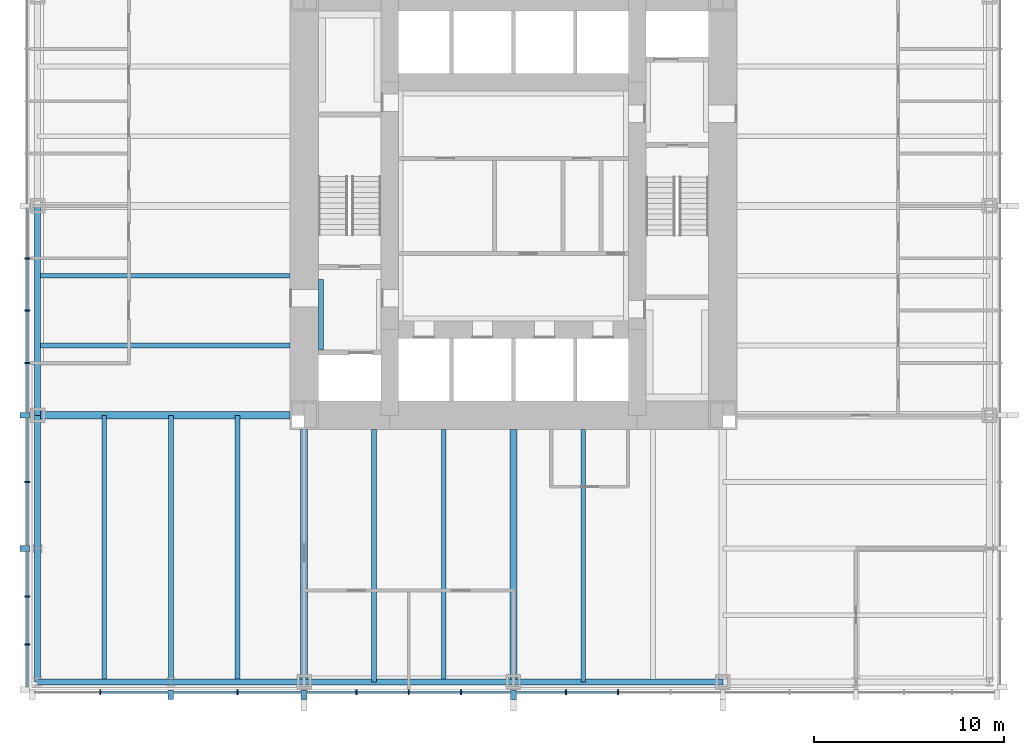
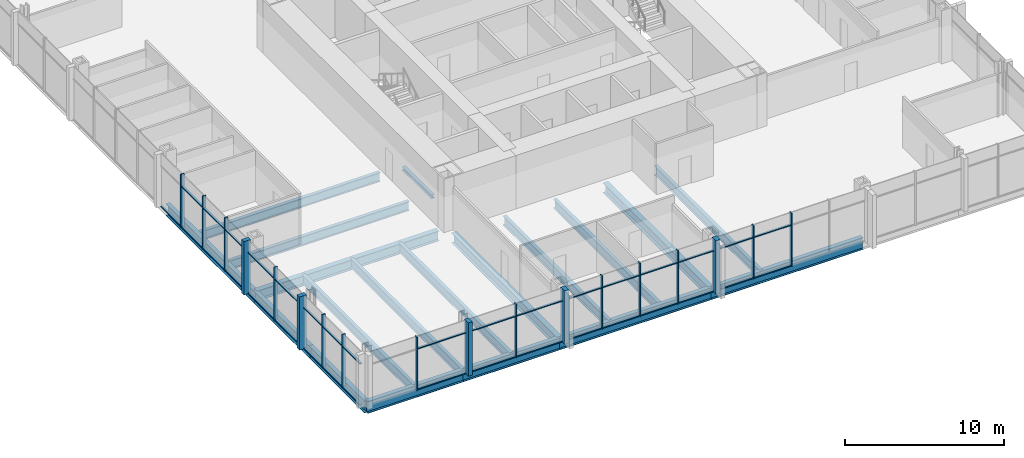
# One storey, part 2 of 13: 53 members, 19 beams, 2 elements without a shape of their own.
"""IFC4 building model written with IfcOpenShell, lengths in metres."""

from ifc_helpers import new_model, si_unit, direction, frame, origin, origin_2d, place, context, subcontext, project, spatial, rectangle, i_section, extrude, material, material_profile, profile_set, type_object, element, aggregate, save


model = new_model("IFC4")

# Units and contexts
model_context = context("Model", 3, precision=1e-05, world=origin(), true_north=direction((0.0, 1.0)))
body_context = subcontext(model_context, "Body", "Model", "MODEL_VIEW")
ifc_project = project(units=[si_unit("LENGTHUNIT", "METRE"), si_unit("AREAUNIT", "SQUARE_METRE"), si_unit("VOLUMEUNIT", "CUBIC_METRE"), si_unit("PLANEANGLEUNIT", "RADIAN"), si_unit("MASSUNIT", "GRAM", prefix="KILO")], contexts=[model_context])

# Site, building, storey
site_placement = place(None, origin())
site = spatial("IfcSite", under=ifc_project, at=site_placement, CompositionType="ELEMENT")
building_placement = place(site_placement, origin())
building = spatial("IfcBuilding", under=site, at=building_placement, Name="Trevanion Tower", CompositionType="ELEMENT")
storey_placement = place(building_placement, frame((0.0, 0.0, 85.699951171875)))
storey = spatial("IfcBuildingStorey", under=building, at=storey_placement, Name="L20", CompositionType="ELEMENT", Elevation=85.699951171875)

# Beams
ifc_material_1 = material(Name="Steel ASTM A992 Grade 50", Category="steel")
ifc_material_profile_1 = material_profile(ifc_material_1, i_section(OverallWidth=0.25390625, OverallDepth=0.700927734375, WebThickness=0.015380859375, FlangeThickness=0.02783203125, at=origin_2d()), Name="W27X129")
ifc_profile_set_1 = profile_set([ifc_material_profile_1], Name="Steel ASTM A992 Grade 50")
beam_type_1 = type_object("IfcBeamType", Name="B3 W27X129", PredefinedType="BEAM", material=ifc_profile_set_1)
for number, where, z_axis, x_axis, name in (
    (1, (-11.75, -3.666748046875, -0.54052734375), (-1.0, 0.0, 0.0), (0.0, -1.0, 0.0), "B3 L20"),
    (2, (-11.75, -7.333251953125, -0.54052734375), (-1.0, 0.0, 0.0), (0.0, -1.0, 0.0), "B3 L20"),
    (3, (-7.333251953125, -11.75, -0.54052734375), (0.0, -1.0, 0.0), (1.0, 0.0, 0.0), "B3 L20"),
    (4, (-3.666748046875, -11.75, -0.54052734375), (0.0, -1.0, 0.0), (1.0, 0.0, 0.0), "B3 L20"),
    (5, (3.666748046875, -11.75, -0.54052734375), (0.0, -1.0, 0.0), (1.0, 0.0, 0.0), "B3 L20"),
):
    element("IfcBeam", number, at=place(storey_placement, frame(where, z_axis=z_axis, x_axis=x_axis)), inside=storey, type_object=beam_type_1, Name=name, PredefinedType="BEAM", context=body_context, shape_type="SweptSolid", body=[
        extrude(i_section(OverallWidth=0.25390625, OverallDepth=0.700927734375, WebThickness=0.015380859375, FlangeThickness=0.02783203125, at=origin_2d()), origin(), (0.0, 0.0, 1.0), 13.25),
    ])
ifc_material_2 = material(Name="Steel ASTM A992 Grade 50", Category="steel")
ifc_material_profile_2 = material_profile(ifc_material_2, i_section(OverallWidth=0.256591796875, OverallDepth=0.693359375, WebThickness=0.014404296875, FlangeThickness=0.023681640625, at=origin_2d()), Name="W27X114")
ifc_profile_set_2 = profile_set([ifc_material_profile_2], Name="Steel ASTM A992 Grade 50")
beam_type_2 = type_object("IfcBeamType", Name="B4 W27X114", PredefinedType="BEAM", material=ifc_profile_set_2)
for number, where, z_axis, x_axis, name in (
    (6, (-14.5, -11.0, -0.53662109375), (0.0, -1.0, 0.0), (1.0, 0.0, 0.0), "B4 L20"),
    (7, (-18.0, -11.0, -0.53662109375), (0.0, -1.0, 0.0), (1.0, 0.0, 0.0), "B4 L20"),
    (8, (-21.5, -11.0, -0.53662109375), (0.0, -1.0, 0.0), (1.0, 0.0, 0.0), "B4 L20"),
):
    element("IfcBeam", number, at=place(storey_placement, frame(where, z_axis=z_axis, x_axis=x_axis)), inside=storey, type_object=beam_type_2, Name=name, PredefinedType="BEAM", context=body_context, shape_type="SweptSolid", body=[
        extrude(i_section(OverallWidth=0.256591796875, OverallDepth=0.693359375, WebThickness=0.014404296875, FlangeThickness=0.023681640625, at=origin_2d()), origin(), (0.0, 0.0, 1.0), 14.0),
    ])

# Curtain wall, members
ifc_material_3 = material(Name="Aluminium and glass", Category="aluminium")
curtain_wall_type = type_object("IfcCurtainWallType", Name="CW1 curtain wall", PredefinedType="USERDEFINED", material=ifc_material_3)
curtain_wall_1_placement = place(storey_placement, origin())
curtain_wall_1 = element("IfcCurtainWall", 9, at=curtain_wall_1_placement, inside=storey, type_object=curtain_wall_type, Name="CW1 L20 2", ObjectType="UNITISED CURTAIN WALL", PredefinedType="USERDEFINED")
ifc_material_4 = material(Name="Aluminium extrusion, anodised bronze", Category="aluminium")
ifc_material_profile_3 = material_profile(ifc_material_4, rectangle(XDim=0.074951171875, YDim=0.25, at=origin_2d()), Name="CW1 mullion")
ifc_profile_set_3 = profile_set([ifc_material_profile_3], Name="Aluminium extrusion, anodised bronze")
member_type_1 = type_object("IfcMemberType", Name="CW1 mullion", PredefinedType="MULLION", material=ifc_profile_set_3)
member_1_placement = place(storey_placement, frame((-25.550048828125, -2.75, -0.18994140625), z_axis=(0.0, 0.0, 1.0), x_axis=(0.0, -1.0, 0.0)))
member_1 = element("IfcMember", 10, at=member_1_placement, type_object=member_type_1, Name="CW1 mullion 10", PredefinedType="MULLION", context=body_context, shape_type="SweptSolid", body=[
    extrude(rectangle(XDim=0.074951171875, YDim=0.25, at=origin_2d()), origin(), (0.0, 0.0, 1.0), 4.10009765625),
])
member_2_placement = place(storey_placement, frame((-25.550048828125, -5.5, -0.18994140625), z_axis=(0.0, 0.0, 1.0), x_axis=(0.0, -1.0, 0.0)))
member_2 = element("IfcMember", 11, at=member_2_placement, type_object=member_type_1, Name="CW1 mullion 11", PredefinedType="MULLION", context=body_context, shape_type="SweptSolid", body=[
    extrude(rectangle(XDim=0.074951171875, YDim=0.25, at=origin_2d()), origin(), (0.0, 0.0, 1.0), 4.10009765625),
])
member_3_placement = place(storey_placement, frame((-25.550048828125, -8.25, -0.18994140625), z_axis=(0.0, 0.0, 1.0), x_axis=(0.0, -1.0, 0.0)))
member_3 = element("IfcMember", 12, at=member_3_placement, type_object=member_type_1, Name="CW1 mullion 12", PredefinedType="MULLION", context=body_context, shape_type="SweptSolid", body=[
    extrude(rectangle(XDim=0.074951171875, YDim=0.25, at=origin_2d()), origin(), (0.0, 0.0, 1.0), 4.10009765625),
])
member_4_placement = place(storey_placement, frame((-25.550048828125, -14.5, -0.18994140625), z_axis=(0.0, 0.0, 1.0), x_axis=(0.0, -1.0, 0.0)))
member_4 = element("IfcMember", 13, at=member_4_placement, type_object=member_type_1, Name="CW1 mullion 14", PredefinedType="MULLION", context=body_context, shape_type="SweptSolid", body=[
    extrude(rectangle(XDim=0.074951171875, YDim=0.25, at=origin_2d()), origin(), (0.0, 0.0, 1.0), 4.10009765625),
])
member_5_placement = place(storey_placement, frame((-25.550048828125, -20.5166015625, -0.18994140625), z_axis=(0.0, 0.0, 1.0), x_axis=(0.0, -1.0, 0.0)))
member_5 = element("IfcMember", 14, at=member_5_placement, type_object=member_type_1, Name="CW1 mullion 16", PredefinedType="MULLION", context=body_context, shape_type="SweptSolid", body=[
    extrude(rectangle(XDim=0.074951171875, YDim=0.25, at=origin_2d()), origin(), (0.0, 0.0, 1.0), 4.10009765625),
])
member_6_placement = place(storey_placement, frame((-25.550048828125, -23.033203125, -0.18994140625), z_axis=(0.0, 0.0, 1.0), x_axis=(0.0, -1.0, 0.0)))
member_6 = element("IfcMember", 15, at=member_6_placement, type_object=member_type_1, Name="CW1 mullion 17", PredefinedType="MULLION", context=body_context, shape_type="SweptSolid", body=[
    extrude(rectangle(XDim=0.074951171875, YDim=0.25, at=origin_2d()), origin(), (0.0, 0.0, 1.0), 4.10009765625),
])

curtain_wall_2_placement = place(storey_placement, origin())
curtain_wall_2 = element("IfcCurtainWall", 16, at=curtain_wall_2_placement, inside=storey, type_object=curtain_wall_type, Name="CW1 L20 3", ObjectType="UNITISED CURTAIN WALL", PredefinedType="USERDEFINED")
member_7_placement = place(storey_placement, frame((-21.7099609375, -25.550048828125, -0.18994140625), z_axis=(0.0, 0.0, 1.0), x_axis=(1.0, 0.0, 0.0)))
member_7 = element("IfcMember", 17, at=member_7_placement, type_object=member_type_1, Name="CW1 mullion 2", PredefinedType="MULLION", context=body_context, shape_type="SweptSolid", body=[
    extrude(rectangle(XDim=0.074951171875, YDim=0.25, at=origin_2d()), origin(), (0.0, 0.0, 1.0), 4.10009765625),
])
member_8_placement = place(storey_placement, frame((-14.5, -25.550048828125, -0.18994140625), z_axis=(0.0, 0.0, 1.0), x_axis=(1.0, 0.0, 0.0)))
member_8 = element("IfcMember", 18, at=member_8_placement, type_object=member_type_1, Name="CW1 mullion 4", PredefinedType="MULLION", context=body_context, shape_type="SweptSolid", body=[
    extrude(rectangle(XDim=0.074951171875, YDim=0.25, at=origin_2d()), origin(), (0.0, 0.0, 1.0), 4.10009765625),
])
member_9_placement = place(storey_placement, frame((-8.25, -25.550048828125, -0.18994140625), z_axis=(0.0, 0.0, 1.0), x_axis=(1.0, 0.0, 0.0)))
member_9 = element("IfcMember", 19, at=member_9_placement, type_object=member_type_1, Name="CW1 mullion 6", PredefinedType="MULLION", context=body_context, shape_type="SweptSolid", body=[
    extrude(rectangle(XDim=0.074951171875, YDim=0.25, at=origin_2d()), origin(), (0.0, 0.0, 1.0), 4.10009765625),
])
member_10_placement = place(storey_placement, frame((-5.5, -25.550048828125, -0.18994140625), z_axis=(0.0, 0.0, 1.0), x_axis=(1.0, 0.0, 0.0)))
member_10 = element("IfcMember", 20, at=member_10_placement, type_object=member_type_1, Name="CW1 mullion 7", PredefinedType="MULLION", context=body_context, shape_type="SweptSolid", body=[
    extrude(rectangle(XDim=0.074951171875, YDim=0.25, at=origin_2d()), origin(), (0.0, 0.0, 1.0), 4.10009765625),
])
member_11_placement = place(storey_placement, frame((-2.75, -25.550048828125, -0.18994140625), z_axis=(0.0, 0.0, 1.0), x_axis=(1.0, 0.0, 0.0)))
member_11 = element("IfcMember", 21, at=member_11_placement, type_object=member_type_1, Name="CW1 mullion 8", PredefinedType="MULLION", context=body_context, shape_type="SweptSolid", body=[
    extrude(rectangle(XDim=0.074951171875, YDim=0.25, at=origin_2d()), origin(), (0.0, 0.0, 1.0), 4.10009765625),
])
member_12_placement = place(storey_placement, frame((2.75, -25.550048828125, -0.18994140625), z_axis=(0.0, 0.0, 1.0), x_axis=(1.0, 0.0, 0.0)))
member_12 = element("IfcMember", 22, at=member_12_placement, type_object=member_type_1, Name="CW1 mullion 10", PredefinedType="MULLION", context=body_context, shape_type="SweptSolid", body=[
    extrude(rectangle(XDim=0.074951171875, YDim=0.25, at=origin_2d()), origin(), (0.0, 0.0, 1.0), 4.10009765625),
])
member_13_placement = place(storey_placement, frame((5.5, -25.550048828125, -0.18994140625), z_axis=(0.0, 0.0, 1.0), x_axis=(1.0, 0.0, 0.0)))
member_13 = element("IfcMember", 23, at=member_13_placement, type_object=member_type_1, Name="CW1 mullion 11", PredefinedType="MULLION", context=body_context, shape_type="SweptSolid", body=[
    extrude(rectangle(XDim=0.074951171875, YDim=0.25, at=origin_2d()), origin(), (0.0, 0.0, 1.0), 4.10009765625),
])

# Member
ifc_material_5 = material(Name="Aluminium extrusion, anodised bronze", Category="aluminium")
ifc_material_profile_4 = material_profile(ifc_material_5, rectangle(XDim=0.300048828125, YDim=0.5, at=origin_2d()), Name="CW1 pier mullion")
ifc_profile_set_4 = profile_set([ifc_material_profile_4], Name="Aluminium extrusion, anodised bronze")
member_type_2 = type_object("IfcMemberType", Name="CW1 pier mullion", PredefinedType="MULLION", material=ifc_profile_set_4)
member_14_placement = place(storey_placement, frame((-25.675048828125, -11.0, -0.18994140625), z_axis=(0.0, 0.0, 1.0), x_axis=(0.0, -1.0, 0.0)))
member_14 = element("IfcMember", 24, at=member_14_placement, type_object=member_type_2, Name="CW1 pier mullion 13", PredefinedType="MULLION", context=body_context, shape_type="SweptSolid", body=[
    extrude(rectangle(XDim=0.300048828125, YDim=0.5, at=origin_2d()), origin(), (0.0, 0.0, 1.0), 4.10009765625),
])

member_15_placement = place(storey_placement, frame((-25.675048828125, -18.0, -0.18994140625), z_axis=(0.0, 0.0, 1.0), x_axis=(0.0, -1.0, 0.0)))
member_15 = element("IfcMember", 25, at=member_15_placement, type_object=member_type_2, Name="CW1 pier mullion 15", PredefinedType="MULLION", context=body_context, shape_type="SweptSolid", body=[
    extrude(rectangle(XDim=0.300048828125, YDim=0.5, at=origin_2d()), origin(), (0.0, 0.0, 1.0), 4.10009765625),
])

member_16_placement = place(storey_placement, frame((-18.0, -25.675048828125, -0.18994140625), z_axis=(0.0, 0.0, 1.0), x_axis=(1.0, 0.0, 0.0)))
member_16 = element("IfcMember", 26, at=member_16_placement, type_object=member_type_2, Name="CW1 pier mullion 3", PredefinedType="MULLION", context=body_context, shape_type="SweptSolid", body=[
    extrude(rectangle(XDim=0.300048828125, YDim=0.5, at=origin_2d()), origin(), (0.0, 0.0, 1.0), 4.10009765625),
])

member_17_placement = place(storey_placement, frame((-11.0, -25.675048828125, -0.18994140625), z_axis=(0.0, 0.0, 1.0), x_axis=(1.0, 0.0, 0.0)))
member_17 = element("IfcMember", 27, at=member_17_placement, type_object=member_type_2, Name="CW1 pier mullion 5", PredefinedType="MULLION", context=body_context, shape_type="SweptSolid", body=[
    extrude(rectangle(XDim=0.300048828125, YDim=0.5, at=origin_2d()), origin(), (0.0, 0.0, 1.0), 4.10009765625),
])

member_18_placement = place(storey_placement, frame((0.0, -25.675048828125, -0.18994140625), z_axis=(0.0, 0.0, 1.0), x_axis=(1.0, 0.0, 0.0)))
member_18 = element("IfcMember", 28, at=member_18_placement, type_object=member_type_2, Name="CW1 pier mullion 9", PredefinedType="MULLION", context=body_context, shape_type="SweptSolid", body=[
    extrude(rectangle(XDim=0.300048828125, YDim=0.5, at=origin_2d()), origin(), (0.0, 0.0, 1.0), 4.10009765625),
])

ifc_material_6 = material(Name="Aluminium extrusion, anodised bronze", Category="aluminium")
ifc_material_profile_5 = material_profile(ifc_material_6, rectangle(XDim=0.14990234375, YDim=0.074951171875, at=origin_2d()), Name="CW1 transom")
ifc_profile_set_5 = profile_set([ifc_material_profile_5], Name="Aluminium extrusion, anodised bronze")
member_type_3 = type_object("IfcMemberType", Name="CW1 transom", PredefinedType="USERDEFINED", material=ifc_profile_set_5)
member_19_placement = place(storey_placement, frame((-25.550048828125, -0.14990234375, -0.15234375), z_axis=(0.0, -1.0, 0.0), x_axis=(1.0, 0.0, 0.0)))
member_19 = element("IfcMember", 29, at=member_19_placement, type_object=member_type_3, Name="CW1 transom 9.1", ObjectType="TRANSOM", PredefinedType="USERDEFINED", context=body_context, shape_type="SweptSolid", body=[
    extrude(rectangle(XDim=0.14990234375, YDim=0.074951171875, at=origin_2d()), origin(), (0.0, 0.0, 1.0), 2.5625),
])

member_20_placement = place(storey_placement, frame((-25.550048828125, -2.78759765625, -0.15234375), z_axis=(0.0, -1.0, 0.0), x_axis=(1.0, 0.0, 0.0)))
member_20 = element("IfcMember", 30, at=member_20_placement, type_object=member_type_3, Name="CW1 transom 10.1", ObjectType="TRANSOM", PredefinedType="USERDEFINED", context=body_context, shape_type="SweptSolid", body=[
    extrude(rectangle(XDim=0.14990234375, YDim=0.074951171875, at=origin_2d()), origin(), (0.0, 0.0, 1.0), 2.6748046875),
])

member_21_placement = place(storey_placement, frame((-25.550048828125, -2.78759765625, 2.9599609375), z_axis=(0.0, -1.0, 0.0), x_axis=(1.0, 0.0, 0.0)))
member_21 = element("IfcMember", 31, at=member_21_placement, type_object=member_type_3, Name="CW1 transom 10.2", ObjectType="TRANSOM", PredefinedType="USERDEFINED", context=body_context, shape_type="SweptSolid", body=[
    extrude(rectangle(XDim=0.14990234375, YDim=0.074951171875, at=origin_2d()), origin(), (0.0, 0.0, 1.0), 2.6748046875),
])

member_22_placement = place(storey_placement, frame((-25.550048828125, -5.53759765625, -0.15234375), z_axis=(0.0, -1.0, 0.0), x_axis=(1.0, 0.0, 0.0)))
member_22 = element("IfcMember", 32, at=member_22_placement, type_object=member_type_3, Name="CW1 transom 11.1", ObjectType="TRANSOM", PredefinedType="USERDEFINED", context=body_context, shape_type="SweptSolid", body=[
    extrude(rectangle(XDim=0.14990234375, YDim=0.074951171875, at=origin_2d()), origin(), (0.0, 0.0, 1.0), 2.6748046875),
])

member_23_placement = place(storey_placement, frame((-25.550048828125, -5.53759765625, 2.9599609375), z_axis=(0.0, -1.0, 0.0), x_axis=(1.0, 0.0, 0.0)))
member_23 = element("IfcMember", 33, at=member_23_placement, type_object=member_type_3, Name="CW1 transom 11.2", ObjectType="TRANSOM", PredefinedType="USERDEFINED", context=body_context, shape_type="SweptSolid", body=[
    extrude(rectangle(XDim=0.14990234375, YDim=0.074951171875, at=origin_2d()), origin(), (0.0, 0.0, 1.0), 2.6748046875),
])

member_24_placement = place(storey_placement, frame((-25.550048828125, -8.28759765625, -0.15234375), z_axis=(0.0, -1.0, 0.0), x_axis=(1.0, 0.0, 0.0)))
member_24 = element("IfcMember", 34, at=member_24_placement, type_object=member_type_3, Name="CW1 transom 12.1", ObjectType="TRANSOM", PredefinedType="USERDEFINED", context=body_context, shape_type="SweptSolid", body=[
    extrude(rectangle(XDim=0.14990234375, YDim=0.074951171875, at=origin_2d()), origin(), (0.0, 0.0, 1.0), 2.5625),
])

member_25_placement = place(storey_placement, frame((-25.550048828125, -8.28759765625, 2.9599609375), z_axis=(0.0, -1.0, 0.0), x_axis=(1.0, 0.0, 0.0)))
member_25 = element("IfcMember", 35, at=member_25_placement, type_object=member_type_3, Name="CW1 transom 12.2", ObjectType="TRANSOM", PredefinedType="USERDEFINED", context=body_context, shape_type="SweptSolid", body=[
    extrude(rectangle(XDim=0.14990234375, YDim=0.074951171875, at=origin_2d()), origin(), (0.0, 0.0, 1.0), 2.5625),
])

member_26_placement = place(storey_placement, frame((-25.550048828125, -11.14990234375, -0.15234375), z_axis=(0.0, -1.0, 0.0), x_axis=(1.0, 0.0, 0.0)))
member_26 = element("IfcMember", 36, at=member_26_placement, type_object=member_type_3, Name="CW1 transom 13.1", ObjectType="TRANSOM", PredefinedType="USERDEFINED", context=body_context, shape_type="SweptSolid", body=[
    extrude(rectangle(XDim=0.14990234375, YDim=0.074951171875, at=origin_2d()), origin(), (0.0, 0.0, 1.0), 3.3125),
])

member_27_placement = place(storey_placement, frame((-25.550048828125, -11.14990234375, 2.9599609375), z_axis=(0.0, -1.0, 0.0), x_axis=(1.0, 0.0, 0.0)))
member_27 = element("IfcMember", 37, at=member_27_placement, type_object=member_type_3, Name="CW1 transom 13.2", ObjectType="TRANSOM", PredefinedType="USERDEFINED", context=body_context, shape_type="SweptSolid", body=[
    extrude(rectangle(XDim=0.14990234375, YDim=0.074951171875, at=origin_2d()), origin(), (0.0, 0.0, 1.0), 3.3125),
])

member_28_placement = place(storey_placement, frame((-25.550048828125, -14.53759765625, -0.15234375), z_axis=(0.0, -1.0, 0.0), x_axis=(1.0, 0.0, 0.0)))
member_28 = element("IfcMember", 38, at=member_28_placement, type_object=member_type_3, Name="CW1 transom 14.1", ObjectType="TRANSOM", PredefinedType="USERDEFINED", context=body_context, shape_type="SweptSolid", body=[
    extrude(rectangle(XDim=0.14990234375, YDim=0.074951171875, at=origin_2d()), origin(), (0.0, 0.0, 1.0), 3.3125),
])

member_29_placement = place(storey_placement, frame((-25.550048828125, -14.53759765625, 2.9599609375), z_axis=(0.0, -1.0, 0.0), x_axis=(1.0, 0.0, 0.0)))
member_29 = element("IfcMember", 39, at=member_29_placement, type_object=member_type_3, Name="CW1 transom 14.2", ObjectType="TRANSOM", PredefinedType="USERDEFINED", context=body_context, shape_type="SweptSolid", body=[
    extrude(rectangle(XDim=0.14990234375, YDim=0.074951171875, at=origin_2d()), origin(), (0.0, 0.0, 1.0), 3.3125),
])

member_30_placement = place(storey_placement, frame((-25.550048828125, -18.14990234375, -0.15234375), z_axis=(0.0, -1.0, 0.0), x_axis=(1.0, 0.0, 0.0)))
member_30 = element("IfcMember", 40, at=member_30_placement, type_object=member_type_3, Name="CW1 transom 15.1", ObjectType="TRANSOM", PredefinedType="USERDEFINED", context=body_context, shape_type="SweptSolid", body=[
    extrude(rectangle(XDim=0.14990234375, YDim=0.074951171875, at=origin_2d()), origin(), (0.0, 0.0, 1.0), 2.329345703125),
])

member_31_placement = place(storey_placement, frame((-25.550048828125, -18.14990234375, 2.9599609375), z_axis=(0.0, -1.0, 0.0), x_axis=(1.0, 0.0, 0.0)))
member_31 = element("IfcMember", 41, at=member_31_placement, type_object=member_type_3, Name="CW1 transom 15.2", ObjectType="TRANSOM", PredefinedType="USERDEFINED", context=body_context, shape_type="SweptSolid", body=[
    extrude(rectangle(XDim=0.14990234375, YDim=0.074951171875, at=origin_2d()), origin(), (0.0, 0.0, 1.0), 2.329345703125),
])

member_32_placement = place(storey_placement, frame((-25.550048828125, -20.55419921875, -0.15234375), z_axis=(0.0, -1.0, 0.0), x_axis=(1.0, 0.0, 0.0)))
member_32 = element("IfcMember", 42, at=member_32_placement, type_object=member_type_3, Name="CW1 transom 16.1", ObjectType="TRANSOM", PredefinedType="USERDEFINED", context=body_context, shape_type="SweptSolid", body=[
    extrude(rectangle(XDim=0.14990234375, YDim=0.074951171875, at=origin_2d()), origin(), (0.0, 0.0, 1.0), 2.441650390625),
])

member_33_placement = place(storey_placement, frame((-25.550048828125, -20.55419921875, 2.9599609375), z_axis=(0.0, -1.0, 0.0), x_axis=(1.0, 0.0, 0.0)))
member_33 = element("IfcMember", 43, at=member_33_placement, type_object=member_type_3, Name="CW1 transom 16.2", ObjectType="TRANSOM", PredefinedType="USERDEFINED", context=body_context, shape_type="SweptSolid", body=[
    extrude(rectangle(XDim=0.14990234375, YDim=0.074951171875, at=origin_2d()), origin(), (0.0, 0.0, 1.0), 2.441650390625),
])

member_34_placement = place(storey_placement, frame((-25.550048828125, -23.07080078125, -0.15234375), z_axis=(0.0, -1.0, 0.0), x_axis=(1.0, 0.0, 0.0)))
member_34 = element("IfcMember", 44, at=member_34_placement, type_object=member_type_3, Name="CW1 transom 17.1", ObjectType="TRANSOM", PredefinedType="USERDEFINED", context=body_context, shape_type="SweptSolid", body=[
    extrude(rectangle(XDim=0.14990234375, YDim=0.074951171875, at=origin_2d()), origin(), (0.0, 0.0, 1.0), 2.17919921875),
])

member_35_placement = place(storey_placement, frame((-25.550048828125, -23.07080078125, 2.9599609375), z_axis=(0.0, -1.0, 0.0), x_axis=(1.0, 0.0, 0.0)))
member_35 = element("IfcMember", 45, at=member_35_placement, type_object=member_type_3, Name="CW1 transom 17.2", ObjectType="TRANSOM", PredefinedType="USERDEFINED", context=body_context, shape_type="SweptSolid", body=[
    extrude(rectangle(XDim=0.14990234375, YDim=0.074951171875, at=origin_2d()), origin(), (0.0, 0.0, 1.0), 2.17919921875),
])

aggregate(curtain_wall_1, [member_1, member_2, member_3, member_14, member_4, member_15, member_5, member_6, member_19, member_20, member_21, member_22, member_23, member_24, member_25, member_26, member_27, member_28, member_29, member_30, member_31, member_32, member_33, member_34, member_35])

member_36_placement = place(storey_placement, frame((-21.672607421875, -25.550048828125, -0.15234375), z_axis=(1.0, 0.0, 0.0), x_axis=(0.0, 1.0, 0.0)))
member_36 = element("IfcMember", 46, at=member_36_placement, type_object=member_type_3, Name="CW1 transom 2.1", ObjectType="TRANSOM", PredefinedType="USERDEFINED", context=body_context, shape_type="SweptSolid", body=[
    extrude(rectangle(XDim=0.14990234375, YDim=0.074951171875, at=origin_2d()), origin(), (0.0, 0.0, 1.0), 3.522705078125),
])

member_37_placement = place(storey_placement, frame((-21.672607421875, -25.550048828125, 2.9599609375), z_axis=(1.0, 0.0, 0.0), x_axis=(0.0, 1.0, 0.0)))
member_37 = element("IfcMember", 47, at=member_37_placement, type_object=member_type_3, Name="CW1 transom 2.2", ObjectType="TRANSOM", PredefinedType="USERDEFINED", context=body_context, shape_type="SweptSolid", body=[
    extrude(rectangle(XDim=0.14990234375, YDim=0.074951171875, at=origin_2d()), origin(), (0.0, 0.0, 1.0), 3.522705078125),
])

member_38_placement = place(storey_placement, frame((-17.85009765625, -25.550048828125, -0.15234375), z_axis=(1.0, 0.0, 0.0), x_axis=(0.0, 1.0, 0.0)))
member_38 = element("IfcMember", 48, at=member_38_placement, type_object=member_type_3, Name="CW1 transom 3.1", ObjectType="TRANSOM", PredefinedType="USERDEFINED", context=body_context, shape_type="SweptSolid", body=[
    extrude(rectangle(XDim=0.14990234375, YDim=0.074951171875, at=origin_2d()), origin(), (0.0, 0.0, 1.0), 3.3125),
])

member_39_placement = place(storey_placement, frame((-17.85009765625, -25.550048828125, 2.9599609375), z_axis=(1.0, 0.0, 0.0), x_axis=(0.0, 1.0, 0.0)))
member_39 = element("IfcMember", 49, at=member_39_placement, type_object=member_type_3, Name="CW1 transom 3.2", ObjectType="TRANSOM", PredefinedType="USERDEFINED", context=body_context, shape_type="SweptSolid", body=[
    extrude(rectangle(XDim=0.14990234375, YDim=0.074951171875, at=origin_2d()), origin(), (0.0, 0.0, 1.0), 3.3125),
])

member_40_placement = place(storey_placement, frame((-14.46240234375, -25.550048828125, -0.15234375), z_axis=(1.0, 0.0, 0.0), x_axis=(0.0, 1.0, 0.0)))
member_40 = element("IfcMember", 50, at=member_40_placement, type_object=member_type_3, Name="CW1 transom 4.1", ObjectType="TRANSOM", PredefinedType="USERDEFINED", context=body_context, shape_type="SweptSolid", body=[
    extrude(rectangle(XDim=0.14990234375, YDim=0.074951171875, at=origin_2d()), origin(), (0.0, 0.0, 1.0), 3.3125),
])

member_41_placement = place(storey_placement, frame((-14.46240234375, -25.550048828125, 2.9599609375), z_axis=(1.0, 0.0, 0.0), x_axis=(0.0, 1.0, 0.0)))
member_41 = element("IfcMember", 51, at=member_41_placement, type_object=member_type_3, Name="CW1 transom 4.2", ObjectType="TRANSOM", PredefinedType="USERDEFINED", context=body_context, shape_type="SweptSolid", body=[
    extrude(rectangle(XDim=0.14990234375, YDim=0.074951171875, at=origin_2d()), origin(), (0.0, 0.0, 1.0), 3.3125),
])

member_42_placement = place(storey_placement, frame((-10.85009765625, -25.550048828125, -0.15234375), z_axis=(1.0, 0.0, 0.0), x_axis=(0.0, 1.0, 0.0)))
member_42 = element("IfcMember", 52, at=member_42_placement, type_object=member_type_3, Name="CW1 transom 5.1", ObjectType="TRANSOM", PredefinedType="USERDEFINED", context=body_context, shape_type="SweptSolid", body=[
    extrude(rectangle(XDim=0.14990234375, YDim=0.074951171875, at=origin_2d()), origin(), (0.0, 0.0, 1.0), 2.5625),
])

member_43_placement = place(storey_placement, frame((-10.85009765625, -25.550048828125, 2.9599609375), z_axis=(1.0, 0.0, 0.0), x_axis=(0.0, 1.0, 0.0)))
member_43 = element("IfcMember", 53, at=member_43_placement, type_object=member_type_3, Name="CW1 transom 5.2", ObjectType="TRANSOM", PredefinedType="USERDEFINED", context=body_context, shape_type="SweptSolid", body=[
    extrude(rectangle(XDim=0.14990234375, YDim=0.074951171875, at=origin_2d()), origin(), (0.0, 0.0, 1.0), 2.5625),
])

member_44_placement = place(storey_placement, frame((-8.21240234375, -25.550048828125, -0.15234375), z_axis=(1.0, 0.0, 0.0), x_axis=(0.0, 1.0, 0.0)))
member_44 = element("IfcMember", 54, at=member_44_placement, type_object=member_type_3, Name="CW1 transom 6.1", ObjectType="TRANSOM", PredefinedType="USERDEFINED", context=body_context, shape_type="SweptSolid", body=[
    extrude(rectangle(XDim=0.14990234375, YDim=0.074951171875, at=origin_2d()), origin(), (0.0, 0.0, 1.0), 2.6748046875),
])

member_45_placement = place(storey_placement, frame((-8.21240234375, -25.550048828125, 2.9599609375), z_axis=(1.0, 0.0, 0.0), x_axis=(0.0, 1.0, 0.0)))
member_45 = element("IfcMember", 55, at=member_45_placement, type_object=member_type_3, Name="CW1 transom 6.2", ObjectType="TRANSOM", PredefinedType="USERDEFINED", context=body_context, shape_type="SweptSolid", body=[
    extrude(rectangle(XDim=0.14990234375, YDim=0.074951171875, at=origin_2d()), origin(), (0.0, 0.0, 1.0), 2.6748046875),
])

member_46_placement = place(storey_placement, frame((-5.46240234375, -25.550048828125, -0.15234375), z_axis=(1.0, 0.0, 0.0), x_axis=(0.0, 1.0, 0.0)))
member_46 = element("IfcMember", 56, at=member_46_placement, type_object=member_type_3, Name="CW1 transom 7.1", ObjectType="TRANSOM", PredefinedType="USERDEFINED", context=body_context, shape_type="SweptSolid", body=[
    extrude(rectangle(XDim=0.14990234375, YDim=0.074951171875, at=origin_2d()), origin(), (0.0, 0.0, 1.0), 2.6748046875),
])

member_47_placement = place(storey_placement, frame((-5.46240234375, -25.550048828125, 2.9599609375), z_axis=(1.0, 0.0, 0.0), x_axis=(0.0, 1.0, 0.0)))
member_47 = element("IfcMember", 57, at=member_47_placement, type_object=member_type_3, Name="CW1 transom 7.2", ObjectType="TRANSOM", PredefinedType="USERDEFINED", context=body_context, shape_type="SweptSolid", body=[
    extrude(rectangle(XDim=0.14990234375, YDim=0.074951171875, at=origin_2d()), origin(), (0.0, 0.0, 1.0), 2.6748046875),
])

member_48_placement = place(storey_placement, frame((-2.71240234375, -25.550048828125, -0.15234375), z_axis=(1.0, 0.0, 0.0), x_axis=(0.0, 1.0, 0.0)))
member_48 = element("IfcMember", 58, at=member_48_placement, type_object=member_type_3, Name="CW1 transom 8.1", ObjectType="TRANSOM", PredefinedType="USERDEFINED", context=body_context, shape_type="SweptSolid", body=[
    extrude(rectangle(XDim=0.14990234375, YDim=0.074951171875, at=origin_2d()), origin(), (0.0, 0.0, 1.0), 2.5625),
])

member_49_placement = place(storey_placement, frame((-2.71240234375, -25.550048828125, 2.9599609375), z_axis=(1.0, 0.0, 0.0), x_axis=(0.0, 1.0, 0.0)))
member_49 = element("IfcMember", 59, at=member_49_placement, type_object=member_type_3, Name="CW1 transom 8.2", ObjectType="TRANSOM", PredefinedType="USERDEFINED", context=body_context, shape_type="SweptSolid", body=[
    extrude(rectangle(XDim=0.14990234375, YDim=0.074951171875, at=origin_2d()), origin(), (0.0, 0.0, 1.0), 2.5625),
])

member_50_placement = place(storey_placement, frame((0.14990234375, -25.550048828125, -0.15234375), z_axis=(1.0, 0.0, 0.0), x_axis=(0.0, 1.0, 0.0)))
member_50 = element("IfcMember", 60, at=member_50_placement, type_object=member_type_3, Name="CW1 transom 9.1", ObjectType="TRANSOM", PredefinedType="USERDEFINED", context=body_context, shape_type="SweptSolid", body=[
    extrude(rectangle(XDim=0.14990234375, YDim=0.074951171875, at=origin_2d()), origin(), (0.0, 0.0, 1.0), 2.5625),
])

member_51_placement = place(storey_placement, frame((0.14990234375, -25.550048828125, 2.9599609375), z_axis=(1.0, 0.0, 0.0), x_axis=(0.0, 1.0, 0.0)))
member_51 = element("IfcMember", 61, at=member_51_placement, type_object=member_type_3, Name="CW1 transom 9.2", ObjectType="TRANSOM", PredefinedType="USERDEFINED", context=body_context, shape_type="SweptSolid", body=[
    extrude(rectangle(XDim=0.14990234375, YDim=0.074951171875, at=origin_2d()), origin(), (0.0, 0.0, 1.0), 2.5625),
])

member_52_placement = place(storey_placement, frame((2.78759765625, -25.550048828125, -0.15234375), z_axis=(1.0, 0.0, 0.0), x_axis=(0.0, 1.0, 0.0)))
member_52 = element("IfcMember", 62, at=member_52_placement, type_object=member_type_3, Name="CW1 transom 10.1", ObjectType="TRANSOM", PredefinedType="USERDEFINED", context=body_context, shape_type="SweptSolid", body=[
    extrude(rectangle(XDim=0.14990234375, YDim=0.074951171875, at=origin_2d()), origin(), (0.0, 0.0, 1.0), 2.6748046875),
])

member_53_placement = place(storey_placement, frame((2.78759765625, -25.550048828125, 2.9599609375), z_axis=(1.0, 0.0, 0.0), x_axis=(0.0, 1.0, 0.0)))
member_53 = element("IfcMember", 63, at=member_53_placement, type_object=member_type_3, Name="CW1 transom 10.2", ObjectType="TRANSOM", PredefinedType="USERDEFINED", context=body_context, shape_type="SweptSolid", body=[
    extrude(rectangle(XDim=0.14990234375, YDim=0.074951171875, at=origin_2d()), origin(), (0.0, 0.0, 1.0), 2.6748046875),
])

aggregate(curtain_wall_2, [member_7, member_16, member_8, member_17, member_9, member_10, member_11, member_18, member_12, member_13, member_36, member_37, member_38, member_39, member_40, member_41, member_42, member_43, member_44, member_45, member_46, member_47, member_48, member_49, member_50, member_51, member_52, member_53])

# Beams
ifc_material_7 = material(Name="Steel ASTM A992 Grade 50", Category="steel")
ifc_material_profile_6 = material_profile(ifc_material_7, i_section(OverallWidth=0.381103515625, OverallDepth=0.77978515625, WebThickness=0.01806640625, FlangeThickness=0.0302734375, at=origin_2d()), Name="W30X191")
ifc_profile_set_6 = profile_set([ifc_material_profile_6], Name="Steel ASTM A992 Grade 50")
beam_type_3 = type_object("IfcBeamType", Name="G2 W30X191", PredefinedType="BEAM", material=ifc_profile_set_6)
for number, where, z_axis, x_axis, name in (
    (64, (-11.75, -11.0, -0.579833984375), (-1.0, 0.0, 0.0), (0.0, -1.0, 0.0), "G2 L20"),
    (65, (-11.0, -11.75, -0.579833984375), (0.0, -1.0, 0.0), (1.0, 0.0, 0.0), "G2 L20"),
    (66, (0.0, -11.75, -0.579833984375), (0.0, -1.0, 0.0), (1.0, 0.0, 0.0), "G2 L20"),
):
    element("IfcBeam", number, at=place(storey_placement, frame(where, z_axis=z_axis, x_axis=x_axis)), inside=storey, type_object=beam_type_3, Name=name, PredefinedType="BEAM", context=body_context, shape_type="SweptSolid", body=[
        extrude(i_section(OverallWidth=0.381103515625, OverallDepth=0.77978515625, WebThickness=0.01806640625, FlangeThickness=0.0302734375, at=origin_2d()), origin(), (0.0, 0.0, 1.0), 13.25),
    ])
ifc_material_8 = material(Name="Steel ASTM A992 Grade 50", Category="steel")
ifc_material_profile_7 = material_profile(ifc_material_8, i_section(OverallWidth=0.256591796875, OverallDepth=0.26416015625, WebThickness=0.011962890625, FlangeThickness=0.01953125, at=origin_2d()), Name="W10X68")
ifc_profile_set_7 = profile_set([ifc_material_profile_7], Name="Steel ASTM A992 Grade 50")
beam_type_4 = type_object("IfcBeamType", Name="LB1 W10X68", PredefinedType="BEAM", material=ifc_profile_set_7)
beam_1_placement = place(storey_placement, frame((-10.12158203125, -7.574951171875, -0.33203125), z_axis=(0.0, 1.0, 0.0), x_axis=(-1.0, 0.0, 0.0)))
element("IfcBeam", 67, at=beam_1_placement, inside=storey, type_object=beam_type_4, Name="LB1 L20", PredefinedType="BEAM", context=body_context, shape_type="SweptSolid", body=[
    extrude(i_section(OverallWidth=0.256591796875, OverallDepth=0.26416015625, WebThickness=0.011962890625, FlangeThickness=0.01953125, at=origin_2d()), origin(), (0.0, 0.0, 1.0), 3.699951171875),
])
ifc_material_9 = material(Name="Steel ASTM A992 Grade 50", Category="steel")
ifc_material_profile_8 = material_profile(ifc_material_9, i_section(OverallWidth=0.307373046875, OverallDepth=0.927001953125, WebThickness=0.01953125, FlangeThickness=0.031982421875, at=origin_2d()), Name="W36X194")
ifc_profile_set_8 = profile_set([ifc_material_profile_8], Name="Steel ASTM A992 Grade 50")
beam_type_5 = type_object("IfcBeamType", Name="SB2 W36X194", PredefinedType="SPANDREL", material=ifc_profile_set_8)
beam_2_placement = place(storey_placement, frame((-25.0, 0.0, -0.653564453125), z_axis=(0.0, -1.0, 0.0), x_axis=(1.0, 0.0, 0.0)))
element("IfcBeam", 68, at=beam_2_placement, inside=storey, type_object=beam_type_5, Name="SB2 L20", PredefinedType="SPANDREL", context=body_context, shape_type="SweptSolid", body=[
    extrude(i_section(OverallWidth=0.307373046875, OverallDepth=0.927001953125, WebThickness=0.01953125, FlangeThickness=0.031982421875, at=origin_2d()), origin(), (0.0, 0.0, 1.0), 11.0),
])
for number, where, z_axis, x_axis, name in (
    (69, (-25.0, -11.0, -0.653564453125), (0.0, -1.0, 0.0), (1.0, 0.0, 0.0), "SB2 L20"),
    (70, (-25.0, -18.0, -0.653564453125), (0.0, -1.0, 0.0), (1.0, 0.0, 0.0), "SB2 L20"),
    (71, (-25.0, -25.0, -0.653564453125), (1.0, 0.0, 0.0), (0.0, 1.0, 0.0), "SB2 L20"),
    (72, (-18.0, -25.0, -0.653564453125), (1.0, 0.0, 0.0), (0.0, 1.0, 0.0), "SB2 L20"),
):
    element("IfcBeam", number, at=place(storey_placement, frame(where, z_axis=z_axis, x_axis=x_axis)), inside=storey, type_object=beam_type_5, Name=name, PredefinedType="SPANDREL", context=body_context, shape_type="SweptSolid", body=[
        extrude(i_section(OverallWidth=0.307373046875, OverallDepth=0.927001953125, WebThickness=0.01953125, FlangeThickness=0.031982421875, at=origin_2d()), origin(), (0.0, 0.0, 1.0), 7.0),
    ])
for number, where, z_axis, x_axis, name in (
    (73, (-11.0, -25.0, -0.653564453125), (1.0, 0.0, 0.0), (0.0, 1.0, 0.0), "SB2 L20"),
    (74, (0.0, -25.0, -0.653564453125), (1.0, 0.0, 0.0), (0.0, 1.0, 0.0), "SB2 L20"),
):
    element("IfcBeam", number, at=place(storey_placement, frame(where, z_axis=z_axis, x_axis=x_axis)), inside=storey, type_object=beam_type_5, Name=name, PredefinedType="SPANDREL", context=body_context, shape_type="SweptSolid", body=[
        extrude(i_section(OverallWidth=0.307373046875, OverallDepth=0.927001953125, WebThickness=0.01953125, FlangeThickness=0.031982421875, at=origin_2d()), origin(), (0.0, 0.0, 1.0), 11.0),
    ])

save(model, "model.ifc")
